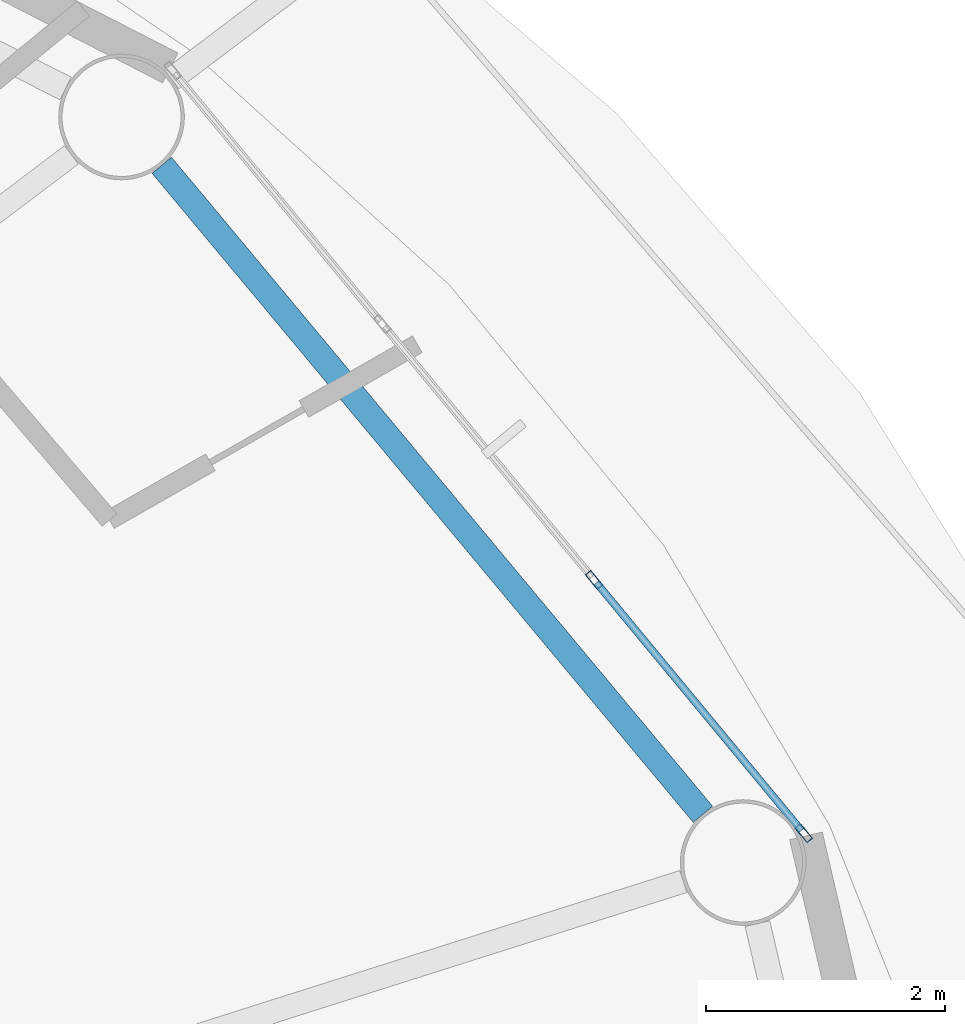
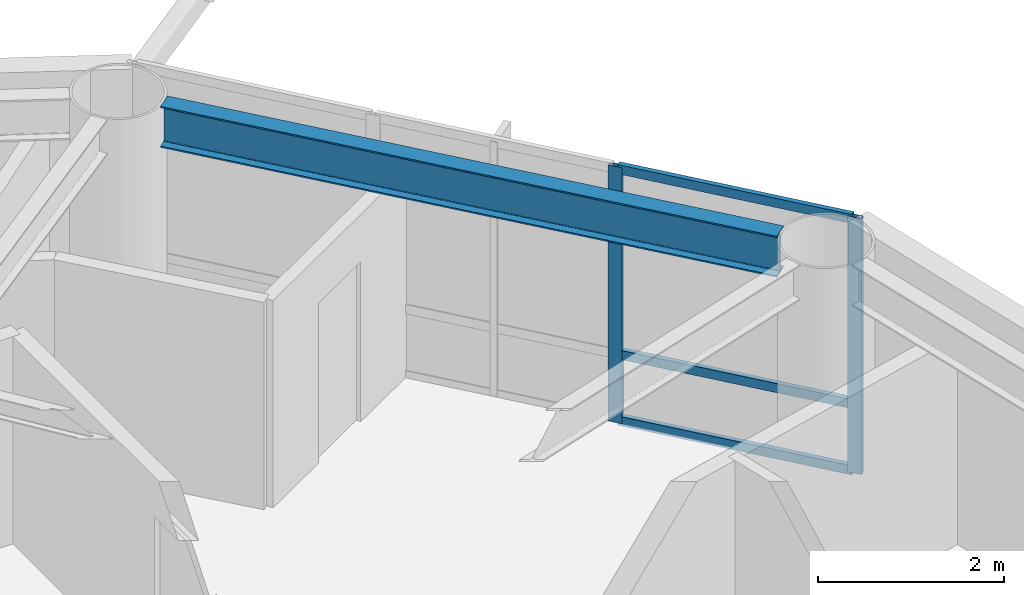
# One storey, part 7 of 23: 5 members, 1 beam, 1 element without a shape of its own.
"""IFC4 building model written with IfcOpenShell, lengths in metres."""

from ifc_helpers import new_model, si_unit, direction, frame, origin, origin_2d, place, context, subcontext, project, spatial, hollow_rectangle, i_section, extrude, material, layer, layer_set, material_profile, profile_set, type_object, element, aggregate, save


model = new_model("IFC4")

# Units and contexts
model_context = context("Model", 3, precision=1e-05, world=origin(), true_north=direction((0.0, 1.0)))
body_context = subcontext(model_context, "Body", "Model", "MODEL_VIEW")
ifc_project = project(units=[si_unit("LENGTHUNIT", "METRE"), si_unit("AREAUNIT", "SQUARE_METRE"), si_unit("VOLUMEUNIT", "CUBIC_METRE"), si_unit("PLANEANGLEUNIT", "RADIAN"), si_unit("MASSUNIT", "GRAM", prefix="KILO")], contexts=[model_context])

# Site, building, storey
site_placement = place(None, origin())
site = spatial("IfcSite", under=ifc_project, at=site_placement, CompositionType="ELEMENT")
building_placement = place(site_placement, origin())
building = spatial("IfcBuilding", under=site, at=building_placement, Name="Sarneth Arch Tower", CompositionType="ELEMENT")
storey_placement = place(building_placement, frame((0.0, 0.0, 238.800048828125)))
storey = spatial("IfcBuildingStorey", under=building, at=storey_placement, Name="L61", CompositionType="ELEMENT", Elevation=238.800048828125)

# Beam
ifc_material_1 = material(Name="Steel S355", Category="steel")
ifc_material_profile_1 = material_profile(ifc_material_1, i_section(OverallWidth=0.2109375, OverallDepth=0.5390625, WebThickness=0.01171875, FlangeThickness=0.018798828125, FilletRadius=0.01806640625, at=origin_2d()), Name="W530x109")
ifc_profile_set_1 = profile_set([ifc_material_profile_1], Name="Steel S355")
beam_type = type_object("IfcBeamType", Name="BM-RAD-530B", PredefinedType="BEAM", material=ifc_profile_set_1)
beam_placement = place(storey_placement, frame((70.83251953125, 49.750732421875, 3.09033203125), z_axis=(-0.640364654985, 0.76807103099, 0.0), x_axis=(-0.76807103099, -0.640364654985, 0.0)))
element("IfcBeam", 1, at=beam_placement, inside=storey, type_object=beam_type, Name="L61 Perimeter spandrel beam 02", PredefinedType="BEAM", context=body_context, shape_type="SweptSolid", body=[
    extrude(i_section(OverallWidth=0.2109375, OverallDepth=0.5390625, WebThickness=0.01171875, FlangeThickness=0.018798828125, FilletRadius=0.01806640625, at=origin_2d()), origin(), (0.0, 0.0, 1.0), 7.06005859375),
])

# Curtain wall, members
ifc_material_2 = material(Name="Anodised aluminium Type AA25 and solar-control low-e laminated IGU", Category="aluminium")
ifc_layer = layer(ifc_material_2, 0.179931640625)
ifc_layer_set = layer_set([ifc_layer], Name="Anodised aluminium Type AA25 and solar-control low-e laminated IGU")
curtain_wall_type = type_object("IfcCurtainWallType", Name="CW-RES-HIGH", PredefinedType="NOTDEFINED", material=ifc_layer_set)
curtain_wall_placement = place(storey_placement, origin())
curtain_wall = element("IfcCurtainWall", 2, at=curtain_wall_placement, inside=storey, type_object=curtain_wall_type, Name="L61 Unitised curtain wall facet 02", PredefinedType="NOTDEFINED")
ifc_material_3 = material(Name="Anodised Aluminium 6063-T6", Category="aluminium")
ifc_material_profile_2 = material_profile(ifc_material_3, hollow_rectangle(XDim=0.06005859375, YDim=0.159912109375, WallThickness=0.00390625, at=origin_2d()), Name="AL-MULL-160x60x4")
ifc_profile_set_2 = profile_set([ifc_material_profile_2], Name="Anodised Aluminium 6063-T6")
member_type_1 = type_object("IfcMemberType", Name="CW-MULLION", PredefinedType="MULLION", material=ifc_profile_set_2)
member_1_placement = place(storey_placement, frame((71.674560546875, 49.592529296875, 0.0), z_axis=(0.0, 0.0, 1.0), x_axis=(-0.770359245933, -0.637610094184, 0.0)))
member_1 = element("IfcMember", 3, at=member_1_placement, type_object=member_type_1, Name="CW-SYS-6 mullion 1", PredefinedType="MULLION", context=body_context, shape_type="SweptSolid", body=[
    extrude(hollow_rectangle(XDim=0.06005859375, YDim=0.159912109375, WallThickness=0.00390625, at=origin_2d()), origin(), (0.0, 0.0, 1.0), 3.35986328125),
])
member_2_placement = place(storey_placement, frame((69.92333984375, 51.70849609375, 0.0), z_axis=(0.0, 0.0, 1.0), x_axis=(-0.770359245933, -0.637610094184, 0.0)))
member_2 = element("IfcMember", 4, at=member_2_placement, type_object=member_type_1, Name="CW-SYS-6 mullion 2", PredefinedType="MULLION", context=body_context, shape_type="SweptSolid", body=[
    extrude(hollow_rectangle(XDim=0.06005859375, YDim=0.159912109375, WallThickness=0.00390625, at=origin_2d()), origin(), (0.0, 0.0, 1.0), 3.35986328125),
])
ifc_material_4 = material(Name="Anodised Aluminium 6063-T6", Category="aluminium")
ifc_material_profile_3 = material_profile(ifc_material_4, hollow_rectangle(XDim=0.06005859375, YDim=0.1201171875, WallThickness=0.00390625, at=origin_2d()), Name="AL-TRAN-120x60x4")
ifc_profile_set_3 = profile_set([ifc_material_profile_3], Name="Anodised Aluminium 6063-T6")
member_type_2 = type_object("IfcMemberType", Name="CW-TRANSOM", PredefinedType="USERDEFINED", material=ifc_profile_set_3)
member_3_placement = place(storey_placement, frame((71.655517578125, 49.61572265625, 0.030029296875), z_axis=(-0.637651400067, 0.770325056059, 0.0), x_axis=(-0.770325056059, -0.637651400067, 0.0)))
member_3 = element("IfcMember", 5, at=member_3_placement, type_object=member_type_2, Name="CW-SYS-6 transom 1.1", ObjectType="TRANSOM", PredefinedType="USERDEFINED", context=body_context, shape_type="SweptSolid", body=[
    extrude(hollow_rectangle(XDim=0.06005859375, YDim=0.1201171875, WallThickness=0.00390625, at=origin_2d()), origin(), (0.0, 0.0, 1.0), 2.6865234375),
])
member_4_placement = place(storey_placement, frame((71.655517578125, 49.61572265625, 0.89990234375), z_axis=(-0.637651400067, 0.770325056059, 0.0), x_axis=(-0.770325056059, -0.637651400067, 0.0)))
member_4 = element("IfcMember", 6, at=member_4_placement, type_object=member_type_2, Name="CW-SYS-6 transom 1.2", ObjectType="TRANSOM", PredefinedType="USERDEFINED", context=body_context, shape_type="SweptSolid", body=[
    extrude(hollow_rectangle(XDim=0.06005859375, YDim=0.1201171875, WallThickness=0.00390625, at=origin_2d()), origin(), (0.0, 0.0, 1.0), 2.6865234375),
])
member_5_placement = place(storey_placement, frame((71.655517578125, 49.61572265625, 3.329833984375), z_axis=(-0.637651400067, 0.770325056059, 0.0), x_axis=(-0.770325056059, -0.637651400067, 0.0)))
member_5 = element("IfcMember", 7, at=member_5_placement, type_object=member_type_2, Name="CW-SYS-6 transom 1.3", ObjectType="TRANSOM", PredefinedType="USERDEFINED", context=body_context, shape_type="SweptSolid", body=[
    extrude(hollow_rectangle(XDim=0.06005859375, YDim=0.1201171875, WallThickness=0.00390625, at=origin_2d()), origin(), (0.0, 0.0, 1.0), 2.6865234375),
])
aggregate(curtain_wall, [member_1, member_2, member_3, member_4, member_5])

save(model, "model.ifc")
